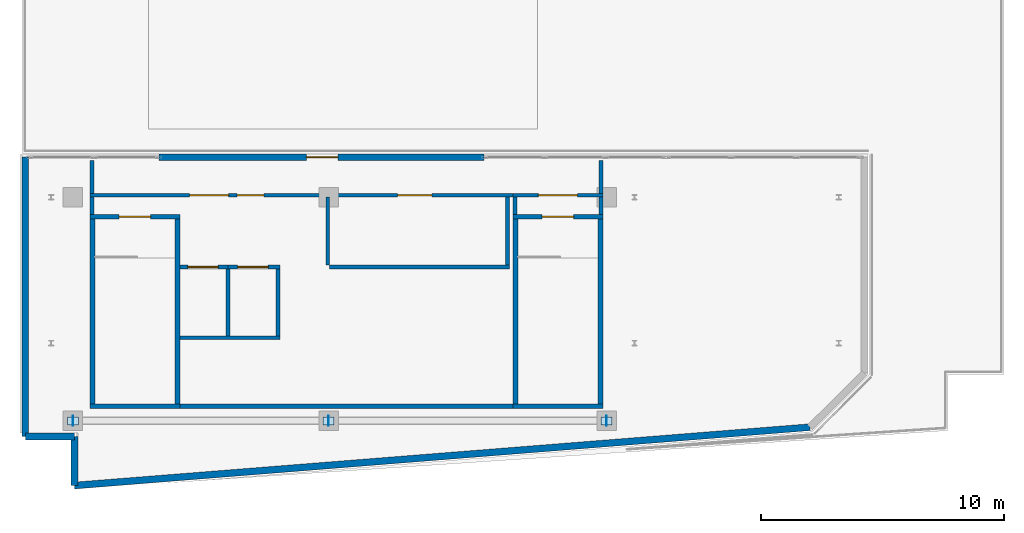
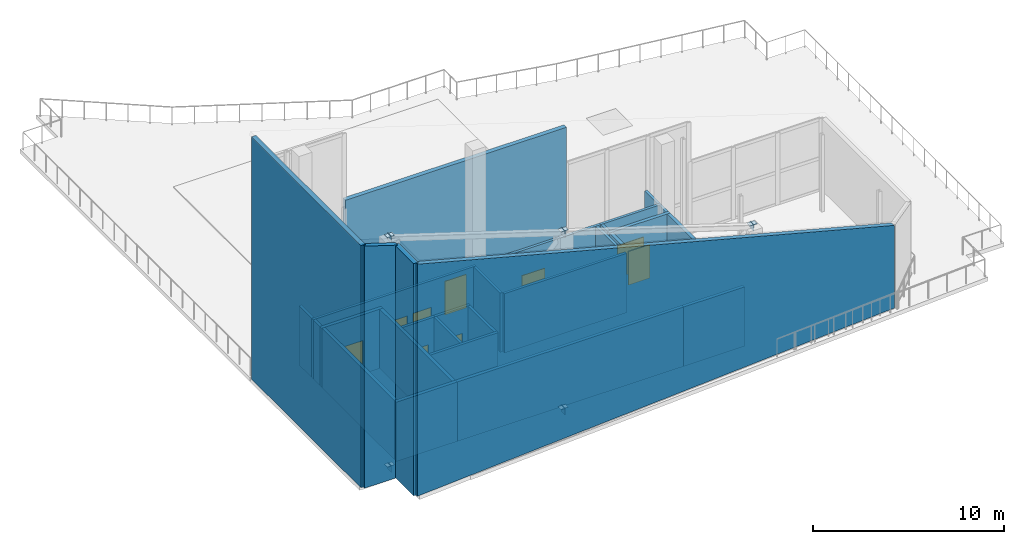
# One storey, part 7 of 9: 30 walls, 10 plates, 9 doors, 9 openings.
"""IFC4 building model written with IfcOpenShell, lengths in metres."""

from ifc_helpers import new_model, si_unit, direction, frame, frame_2d, origin, origin_2d, place, context, subcontext, project, spatial, polyline, rectangle, outline, extrude, material, layer, layer_set, type_object, element, fill, save


model = new_model("IFC4")

# Units and contexts
model_context = context("Model", 3, precision=1e-05, world=origin(), true_north=direction((0.0, 1.0)))
body_context = subcontext(model_context, "Body", "Model", "MODEL_VIEW")
ifc_project = project(units=[si_unit("LENGTHUNIT", "METRE"), si_unit("AREAUNIT", "SQUARE_METRE"), si_unit("VOLUMEUNIT", "CUBIC_METRE"), si_unit("PLANEANGLEUNIT", "RADIAN"), si_unit("MASSUNIT", "GRAM", prefix="KILO")], contexts=[model_context])

# Site, building, storey
site_placement = place(None, origin())
site = spatial("IfcSite", under=ifc_project, at=site_placement, CompositionType="ELEMENT")
building_placement = place(site_placement, origin())
building = spatial("IfcBuilding", under=site, at=building_placement, Name="Varnakote Quay Hospital", CompositionType="ELEMENT")
storey_placement = place(building_placement, frame((0.0, 0.0, 309.199951171875)))
storey = spatial("IfcBuildingStorey", under=building, at=storey_placement, Name="RF", CompositionType="ELEMENT", Elevation=309.199951171875)

# Plates
ifc_material_1 = material(Name="Structural steel AS/NZS 3678 Grade 350 (fy 340 MPa)", Category="steel")
ifc_layer_1 = layer(ifc_material_1, 0.02001953125)
ifc_layer_set_1 = layer_set([ifc_layer_1], Name="Structural steel AS/NZS 3678 Grade 350 (fy 340 MPa)")
plate_type_1 = type_object("IfcPlateType", Name="PLT-ENDCAP-420x420x20", PredefinedType="USERDEFINED", material=ifc_layer_set_1)
for number, where, z_axis, x_axis, name in (
    (1, (2.10009765625, 2.800048828125, 14.65625), (0.0, 0.0, 1.0), (1.0, 0.0, 0.0), "RF Hollow Section Sealed End Cap Plate"),
    (2, (12.6201171875, 2.800048828125, 11.3310546875), (0.0, 0.0, 1.0), (1.0, 0.0, 0.0), "RF Hollow Section Sealed End Cap Plate"),
    (3, (2.10009765625, 2.800048828125, -0.030029296875), (0.0, 0.0, 1.0), (1.0, 0.0, 0.0), "RF Hollow Section Sealed End Cap Plate"),
    (4, (24.050048828125, 2.800048828125, 7.718017578125), (0.0, 0.0, 1.0), (1.0, 0.0, 0.0), "RF Hollow Section Sealed End Cap Plate"),
    (5, (12.6201171875, 2.800048828125, -0.030029296875), (0.0, 0.0, 1.0), (1.0, 0.0, 0.0), "RF Hollow Section Sealed End Cap Plate"),
):
    element("IfcPlate", number, at=place(storey_placement, frame(where, z_axis=z_axis, x_axis=x_axis)), inside=storey, type_object=plate_type_1, Name=name, ObjectType="END_CAP_PLATE", PredefinedType="USERDEFINED", context=body_context, shape_type="SweptSolid", body=[
        extrude(rectangle(XDim=0.02001953125, YDim=0.419921875, at=origin_2d()), origin(), (0.0, 0.0, 1.0), 0.419921875),
    ])
ifc_material_2 = material(Name="Structural steel AS/NZS 3678 Grade 350 (fy 340 MPa)", Category="steel")
ifc_layer_2 = layer(ifc_material_2, 0.02490234375)
ifc_layer_set_2 = layer_set([ifc_layer_2], Name="Structural steel AS/NZS 3678 Grade 350 (fy 340 MPa)")
plate_type_2 = type_object("IfcPlateType", Name="PLT-GUSSET-450x320x25", PredefinedType="USERDEFINED", material=ifc_layer_set_2)
for number, where, z_axis, x_axis, name in (
    (6, (2.10009765625, 2.800048828125, 15.03369140625), (0.0, 0.0, 1.0), (1.0, 0.0, 0.0), "RF Truss Concentric Node Gusset Plate"),
    (7, (12.6201171875, 2.800048828125, 11.70849609375), (0.0, 0.0, 1.0), (1.0, 0.0, 0.0), "RF Truss Concentric Node Gusset Plate"),
    (8, (2.10009765625, 2.800048828125, 0.34765625), (0.0, 0.0, 1.0), (1.0, 0.0, 0.0), "RF Truss Concentric Node Gusset Plate"),
    (9, (24.050048828125, 2.800048828125, 8.095703125), (0.0, 0.0, 1.0), (1.0, 0.0, 0.0), "RF Truss Concentric Node Gusset Plate"),
    (10, (12.6201171875, 2.800048828125, 0.34765625), (0.0, 0.0, 1.0), (1.0, 0.0, 0.0), "RF Truss Concentric Node Gusset Plate"),
):
    element("IfcPlate", number, at=place(storey_placement, frame(where, z_axis=z_axis, x_axis=x_axis)), inside=storey, type_object=plate_type_2, Name=name, ObjectType="GUSSET_PLATE", PredefinedType="USERDEFINED", context=body_context, shape_type="SweptSolid", body=[
        extrude(rectangle(XDim=0.449951171875, YDim=0.320068359375, at=origin_2d()), origin(), (0.0, 0.0, 1.0), 0.02490234375),
    ])

# Wall, openings, doors
ifc_material_3 = material(Name="Fire-rated acoustic gypsum stud wall", Category="gypsum")
ifc_layer_3 = layer(ifc_material_3, 0.159912109375)
ifc_layer_set_3 = layer_set([ifc_layer_3], Name="Fire-rated acoustic gypsum stud wall")
wall_type_1 = type_object("IfcWallType", Name="WL-COMP-160", PredefinedType="PARTITIONING", material=ifc_layer_set_3)
wall_1_placement = place(storey_placement, frame((2.800048828125, 12.080078125, 0.0), z_axis=(0.0, 0.0, 1.0), x_axis=(1.0, 0.0, 0.0)))
wall_1 = element("IfcWall", 11, at=wall_1_placement, inside=storey, type_object=wall_type_1, Name="RF Firefighting Lift & Stair Lobby Wall", PredefinedType="PARTITIONING", context=body_context, shape_type="SweptSolid", body=[
    extrude(rectangle(XDim=9.85986328125, YDim=0.159912109375, at=frame_2d((4.929931640625, 0.0))), origin(), (0.0, 0.0, 1.0), 3.800048828125),
])
opening_1_placement = place(wall_1_placement, frame((4.10009765625, 0.0, 0.0)))
opening_1 = element("IfcOpeningElement", 12, at=opening_1_placement, cuts=wall_1, Name="Opening D-FFL-RF", PredefinedType="OPENING", context=body_context, shape_type="SweptSolid", body=[
    extrude(rectangle(XDim=1.60009765625, YDim=2.050048828125, at=frame_2d((0.800048828125, 1.02490234375))), frame((0.0, 0.08984375, 0.0), z_axis=(0.0, -1.0, 0.0), x_axis=(1.0, 0.0, 0.0)), (0.0, 0.0, 1.0), 0.179931640625),
])
opening_2_placement = place(wall_1_placement, frame((6.052001953125, 0.0, 0.0)))
opening_2 = element("IfcOpeningElement", 13, at=opening_2_placement, cuts=wall_1, Name="Opening D-RF-HHL", PredefinedType="OPENING", context=body_context, shape_type="SweptSolid", body=[
    extrude(rectangle(XDim=1.10009765625, YDim=2.10009765625, at=frame_2d((0.550048828125, 1.050048828125))), frame((0.0, 0.08984375, 0.0), z_axis=(0.0, -1.0, 0.0), x_axis=(1.0, 0.0, 0.0)), (0.0, 0.0, 1.0), 0.179931640625),
])
ifc_material_4 = material(Name="Acoustic timber clinical consult door", Category="wood")
door_type_1 = type_object("IfcDoorType", Name="DR-CLIN-FD30S-1100x2100", OperationType="NOTDEFINED", PredefinedType="DOOR", material=ifc_material_4)
door_1_placement = place(opening_2_placement, origin())
door_1 = element("IfcDoor", 14, at=door_1_placement, inside=storey, type_object=door_type_1, Name="RF Helideck Trauma Transfer Reception Area Door", OperationType="SINGLE_SWING_RIGHT", OverallHeight=2.10009765625, OverallWidth=1.10009765625, PredefinedType="DOOR", context=body_context, shape_type="SweptSolid", body=[
    extrude(rectangle(XDim=1.10009765625, YDim=2.10009765625, at=frame_2d((0.550048828125, 1.050048828125))), frame((0.0, 0.02490234375, 0.0), z_axis=(0.0, -1.0, 0.0), x_axis=(1.0, 0.0, 0.0)), (0.0, 0.0, 1.0), 0.050048828125),
])
fill(opening_2, door_1)
ifc_material_5 = material(Name="Fire-rated double smoke lobby door")
door_type_2 = type_object("IfcDoorType", Name="DR-LOBBY-FD60S-1600x2150", OperationType="NOTDEFINED", PredefinedType="DOOR", material=ifc_material_5)
door_2_placement = place(opening_1_placement, origin())
door_2 = element("IfcDoor", 15, at=door_2_placement, inside=storey, type_object=door_type_2, Name="RF Firefighting Smoke Vestibule Door", OperationType="DOUBLE_DOOR_SINGLE_SWING", OverallHeight=2.050048828125, OverallWidth=1.60009765625, PredefinedType="DOOR", context=body_context, shape_type="SweptSolid", body=[
    extrude(rectangle(XDim=1.60009765625, YDim=2.050048828125, at=frame_2d((0.800048828125, 1.02490234375))), frame((0.0, 0.02490234375, 0.0), z_axis=(0.0, -1.0, 0.0), x_axis=(1.0, 0.0, 0.0)), (0.0, 0.0, 1.0), 0.050048828125),
])
fill(opening_1, door_2)

# Walls
wall_2_placement = place(storey_placement, frame((2.8798828125, 11.300048828125, 0.0), z_axis=(0.0, 0.0, 1.0), x_axis=(0.0, 1.0, 0.0)))
element("IfcWall", 16, at=wall_2_placement, inside=storey, type_object=wall_type_1, Name="RF West Stair Lobby End Wall", PredefinedType="PARTITIONING", context=body_context, shape_type="SweptSolid", body=[
    extrude(rectangle(XDim=0.699951171875, YDim=0.159912109375, at=frame_2d((0.35009765625, 0.0))), origin(), (0.0, 0.0, 1.0), 3.800048828125),
])
wall_3_placement = place(storey_placement, frame((12.580078125, 9.2099609375, 0.0), z_axis=(0.0, 0.0, 1.0), x_axis=(0.0, 1.0, 0.0)))
element("IfcWall", 17, at=wall_3_placement, inside=storey, type_object=wall_type_1, Name="RF Firefighting Lobby East Wall", PredefinedType="PARTITIONING", context=body_context, shape_type="SweptSolid", body=[
    extrude(rectangle(XDim=2.7900390625, YDim=0.159912109375, at=frame_2d((1.39501953125, 0.0))), origin(), (0.0, 0.0, 1.0), 3.800048828125),
])

# Wall, opening, door
wall_4_placement = place(storey_placement, frame((20.199951171875, 12.080078125, 0.0), z_axis=(0.0, 0.0, 1.0), x_axis=(1.0, 0.0, 0.0)))
wall_4 = element("IfcWall", 18, at=wall_4_placement, inside=storey, type_object=wall_type_1, Name="RF East Stair Vestibule Wall", PredefinedType="PARTITIONING", context=body_context, shape_type="SweptSolid", body=[
    extrude(rectangle(XDim=3.699951171875, YDim=0.159912109375, at=frame_2d((1.85009765625, 0.0))), origin(), (0.0, 0.0, 1.0), 3.800048828125),
])
opening_3_placement = place(wall_4_placement, frame((1.050048828125, 0.0, 0.0)))
opening_3 = element("IfcOpeningElement", 19, at=opening_3_placement, cuts=wall_4, Name="Opening D-ST2L-RF", PredefinedType="OPENING", context=body_context, shape_type="SweptSolid", body=[
    extrude(rectangle(XDim=1.60009765625, YDim=2.050048828125, at=frame_2d((0.800048828125, 1.02490234375))), frame((0.0, 0.08984375, 0.0), z_axis=(0.0, -1.0, 0.0), x_axis=(1.0, 0.0, 0.0)), (0.0, 0.0, 1.0), 0.179931640625),
])
door_3_placement = place(opening_3_placement, origin())
door_3 = element("IfcDoor", 20, at=door_3_placement, inside=storey, type_object=door_type_2, Name="RF East Stair Vestibule Smoke Door", OperationType="DOUBLE_DOOR_SINGLE_SWING", OverallHeight=2.050048828125, OverallWidth=1.60009765625, PredefinedType="DOOR", context=body_context, shape_type="SweptSolid", body=[
    extrude(rectangle(XDim=1.60009765625, YDim=2.050048828125, at=frame_2d((0.800048828125, 1.02490234375))), frame((0.0, 0.02490234375, 0.0), z_axis=(0.0, -1.0, 0.0), x_axis=(1.0, 0.0, 0.0)), (0.0, 0.0, 1.0), 0.050048828125),
])
fill(opening_3, door_3)

# Walls
for number, where, z_axis, x_axis, name in (
    (21, (20.280029296875, 11.300048828125, 0.0), (0.0, 0.0, 1.0), (0.0, 1.0, 0.0), "RF East Stair Vestibule West Wall"),
    (22, (23.820068359375, 11.300048828125, 0.0), (0.0, 0.0, 1.0), (0.0, 1.0, 0.0), "RF East Stair Vestibule East Wall"),
):
    element("IfcWall", number, at=place(storey_placement, frame(where, z_axis=z_axis, x_axis=x_axis)), inside=storey, type_object=wall_type_1, Name=name, PredefinedType="PARTITIONING", context=body_context, shape_type="SweptSolid", body=[
        extrude(rectangle(XDim=0.699951171875, YDim=0.159912109375, at=frame_2d((0.35009765625, 0.0))), origin(), (0.0, 0.0, 1.0), 3.800048828125),
    ])
for number, where, z_axis, x_axis, name in (
    (23, (2.8798828125, 12.159912109375, 0.0), (0.0, 0.0, 1.0), (0.0, 1.0, 0.0), "RF Headhouse West Wall"),
    (24, (23.820068359375, 12.159912109375, 0.0), (0.0, 0.0, 1.0), (0.0, 1.0, 0.0), "RF Headhouse East Wall"),
):
    element("IfcWall", number, at=place(storey_placement, frame(where, z_axis=z_axis, x_axis=x_axis)), inside=storey, type_object=wall_type_1, Name=name, PredefinedType="PARTITIONING", context=body_context, shape_type="SweptSolid", body=[
        extrude(rectangle(XDim=1.360107421875, YDim=0.159912109375, at=frame_2d((0.68017578125, 0.0))), origin(), (0.0, 0.0, 1.0), 3.800048828125),
    ])
wall_5_placement = place(storey_placement, frame((12.659912109375, 9.1298828125, 0.0), z_axis=(0.0, 0.0, 1.0), x_axis=(1.0, 0.0, 0.0)))
element("IfcWall", 25, at=wall_5_placement, inside=storey, type_object=wall_type_1, Name="RF Crown Plant South Wall", PredefinedType="PARTITIONING", context=body_context, shape_type="SweptSolid", body=[
    extrude(rectangle(XDim=7.400146484375, YDim=0.159912109375, at=frame_2d((3.7001953125, 0.0))), origin(), (0.0, 0.0, 1.0), 3.800048828125),
])
wall_6_placement = place(storey_placement, frame((19.97998046875, 9.2099609375, 0.0), z_axis=(0.0, 0.0, 1.0), x_axis=(0.0, 1.0, 0.0)))
element("IfcWall", 26, at=wall_6_placement, inside=storey, type_object=wall_type_1, Name="RF Crown Plant East Wall", PredefinedType="PARTITIONING", context=body_context, shape_type="SweptSolid", body=[
    extrude(rectangle(XDim=2.7900390625, YDim=0.159912109375, at=frame_2d((1.39501953125, 0.0))), origin(), (0.0, 0.0, 1.0), 3.800048828125),
])

# Wall, opening, door
wall_7_placement = place(storey_placement, frame((12.659912109375, 12.080078125, 0.0), z_axis=(0.0, 0.0, 1.0), x_axis=(1.0, 0.0, 0.0)))
wall_7 = element("IfcWall", 27, at=wall_7_placement, inside=storey, type_object=wall_type_1, Name="RF Crown Plant North Door Wall", PredefinedType="PARTITIONING", context=body_context, shape_type="SweptSolid", body=[
    extrude(rectangle(XDim=7.5400390625, YDim=0.159912109375, at=frame_2d((3.77001953125, 0.0))), origin(), (0.0, 0.0, 1.0), 3.800048828125),
])
opening_4_placement = place(wall_7_placement, frame((2.800048828125, 0.0, 0.0)))
opening_4 = element("IfcOpeningElement", 28, at=opening_4_placement, cuts=wall_7, Name="Opening D-HPLT-RF", PredefinedType="OPENING", context=body_context, shape_type="SweptSolid", body=[
    extrude(rectangle(XDim=1.39990234375, YDim=2.14990234375, at=frame_2d((0.699951171875, 1.074951171875))), frame((0.0, 0.08984375, 0.0), z_axis=(0.0, -1.0, 0.0), x_axis=(1.0, 0.0, 0.0)), (0.0, 0.0, 1.0), 0.179931640625),
])
ifc_material_6 = material(Name="Fire-rated acoustic plant room door")
door_type_3 = type_object("IfcDoorType", Name="DR-PLANT-FD60-1400x2150", OperationType="NOTDEFINED", PredefinedType="DOOR", material=ifc_material_6)
door_4_placement = place(opening_4_placement, origin())
door_4 = element("IfcDoor", 29, at=door_4_placement, inside=storey, type_object=door_type_3, Name="RF Crown Mechanical Plant Door", OperationType="SINGLE_SWING_LEFT", OverallHeight=2.14990234375, OverallWidth=1.39990234375, PredefinedType="DOOR", context=body_context, shape_type="SweptSolid", body=[
    extrude(rectangle(XDim=1.39990234375, YDim=2.14990234375, at=frame_2d((0.699951171875, 1.074951171875))), frame((0.0, 0.02490234375, 0.0), z_axis=(0.0, -1.0, 0.0), x_axis=(1.0, 0.0, 0.0)), (0.0, 0.0, 1.0), 0.050048828125),
])
fill(opening_4, door_4)

# Wall
ifc_material_7 = material(Name="Concrete N50 (f'c 50 MPa)", Category="concrete")
ifc_layer_4 = layer(ifc_material_7, 0.199951171875)
ifc_layer_set_4 = layer_set([ifc_layer_4], Name="Concrete N50 (f'c 50 MPa)")
wall_type_2 = type_object("IfcWallType", Name="WL-CORE-N50-200", PredefinedType="SHEAR", material=ifc_layer_set_4)
wall_8_placement = place(storey_placement, frame((6.5, 3.39990234375, 0.0), z_axis=(0.0, 0.0, 1.0), x_axis=(1.0, 0.0, 0.0)))
element("IfcWall", 30, at=wall_8_placement, inside=storey, type_object=wall_type_2, Name="RF Rear Core South Shear Wall", PredefinedType="SHEAR", context=body_context, shape_type="SweptSolid", body=[
    extrude(rectangle(XDim=13.699951171875, YDim=0.199951171875, at=frame_2d((6.85009765625, 0.0))), origin(), (0.0, 0.0, 1.0), 3.800048828125),
])

# Wall, opening, door
ifc_material_8 = material(Name="Precast concrete N50 (f'c 50 MPa)", Category="concrete")
ifc_layer_5 = layer(ifc_material_8, 0.260009765625)
ifc_layer_set_5 = layer_set([ifc_layer_5], Name="Precast concrete N50 (f'c 50 MPa)")
wall_type_3 = type_object("IfcWallType", Name="WL-CROWN-HH-260", PredefinedType="STANDARD", material=ifc_layer_set_5)
wall_9_placement = place(storey_placement, frame((5.635009765625, 13.64990234375, 0.0), z_axis=(0.0, 0.0, 1.0), x_axis=(1.0, 0.0, 0.0)))
wall_9 = element("IfcWall", 31, at=wall_9_placement, inside=storey, type_object=wall_type_3, Name="Helideck Trauma Transfer Headhouse Wall", PredefinedType="STANDARD", context=body_context, shape_type="SweptSolid", body=[
    extrude(rectangle(XDim=13.3798828125, YDim=0.260009765625, at=frame_2d((6.68994140625, 0.0))), origin(), (0.0, 0.0, 1.0), 9.529541015625),
])
opening_5_placement = place(wall_9_placement, frame((6.06494140625, 0.0, 0.0)))
opening_5 = element("IfcOpeningElement", 32, at=opening_5_placement, cuts=wall_9, Name="Opening DE-0086", PredefinedType="OPENING", context=body_context, shape_type="SweptSolid", body=[
    extrude(rectangle(XDim=1.300048828125, YDim=2.14990234375, at=frame_2d((0.64990234375, 1.074951171875))), frame((0.0, 0.139892578125, 0.0), z_axis=(0.0, -1.0, 0.0), x_axis=(1.0, 0.0, 0.0)), (0.0, 0.0, 1.0), 0.280029296875),
])
ifc_material_9 = material(Name="Anodised aluminium glazed terrace door", Category="aluminium")
door_type_4 = type_object("IfcDoorType", Name="DR-EXT-TERR-1300x2150", OperationType="NOTDEFINED", PredefinedType="DOOR", material=ifc_material_9)
door_5_placement = place(opening_5_placement, origin())
door_5 = element("IfcDoor", 33, at=door_5_placement, inside=storey, type_object=door_type_4, Name="Helideck Trauma Stretcher Transfer Door", OperationType="SINGLE_SWING_RIGHT", OverallHeight=2.14990234375, OverallWidth=1.300048828125, PredefinedType="DOOR", context=body_context, shape_type="SweptSolid", body=[
    extrude(rectangle(XDim=1.300048828125, YDim=2.14990234375, at=frame_2d((0.64990234375, 1.074951171875))), frame((0.0, 0.02490234375, 0.0), z_axis=(0.0, -1.0, 0.0), x_axis=(1.0, 0.0, 0.0)), (0.0, 0.0, 1.0), 0.050048828125),
])
fill(opening_5, door_5)

# Walls
ifc_material_10 = material(Name="Precast concrete N50 (f'c 50 MPa)", Category="concrete")
ifc_layer_6 = layer(ifc_material_10, 0.280029296875)
ifc_layer_set_6 = layer_set([ifc_layer_6], Name="Precast concrete N50 (f'c 50 MPa)")
wall_type_4 = type_object("IfcWallType", Name="WL-CROWN-RAKED-280", PredefinedType="STANDARD", material=ifc_layer_set_6)
wall_10_placement = place(storey_placement, frame((0.139892578125, 2.159912109375, 0.0), z_axis=(0.0, 0.0, 1.0), x_axis=(1.0, 0.0, 0.0)))
element("IfcWall", 34, at=wall_10_placement, inside=storey, type_object=wall_type_4, Name="Slanted-Cut Crown South-West Notch Wall 1", PredefinedType="STANDARD", context=body_context, shape_type="SweptSolid", body=[
    extrude(outline(polyline([(0.0, 0.0), (2.02001953125, 0.0), (2.02001953125, 14.857177734375), (0.0, 15.495849609375), (0.0, 0.0)])), frame((0.0, 0.14013671875, 0.0), z_axis=(0.0, -1.0, 0.0), x_axis=(1.0, 0.0, 0.0)), (0.0, 0.0, 1.0), 0.280029296875),
])
wall_11_placement = place(storey_placement, frame((2.159912109375, 2.159912109375, 0.0), z_axis=(0.0, 0.0, 1.0), x_axis=(0.0, -1.0, 0.0)))
element("IfcWall", 35, at=wall_11_placement, inside=storey, type_object=wall_type_4, Name="Slanted-Cut Crown South-West Notch Wall 2", PredefinedType="STANDARD", context=body_context, shape_type="SweptSolid", body=[
    extrude(rectangle(XDim=2.02001953125, YDim=0.280029296875, at=frame_2d((1.010009765625, 0.0))), origin(), (0.0, 0.0, 1.0), 14.857177734375),
])
wall_12_placement = place(storey_placement, frame((2.159912109375, 0.139892578125, 0.0), z_axis=(0.0, 0.0, 1.0), x_axis=(0.996869136996, 0.079069107151, 0.0)))
element("IfcWall", 36, at=wall_12_placement, inside=storey, type_object=wall_type_4, Name="Slanted-Cut Crown South Raked Precast Wall", PredefinedType="STANDARD", context=body_context, shape_type="SweptSolid", body=[
    extrude(outline(polyline([(0.0, 0.0), (30.35498046875, 0.0), (30.35498046875, 5.292236328125), (0.0, 14.857177734375), (0.0, 0.0)])), frame((0.0, 0.14013671875, 0.0), z_axis=(0.0, -1.0, 0.0), x_axis=(1.0, 0.0, 0.0)), (0.0, 0.0, 1.0), 0.280029296875),
])
wall_13_placement = place(storey_placement, frame((0.139892578125, 2.159912109375, 0.0), z_axis=(0.0, 0.0, 1.0), x_axis=(0.0, 1.0, 0.0)))
element("IfcWall", 37, at=wall_13_placement, inside=storey, type_object=wall_type_4, Name="Slanted-Cut Crown West Apex Wall", PredefinedType="STANDARD", context=body_context, shape_type="SweptSolid", body=[
    extrude(rectangle(XDim=11.489990234375, YDim=0.280029296875, at=frame_2d((5.7451171875, 0.0))), origin(), (0.0, 0.0, 1.0), 15.495849609375),
])
ifc_material_11 = material(Name="Concrete N50 (f'c 50 MPa)", Category="concrete")
ifc_layer_7 = layer(ifc_material_11, 0.14990234375)
ifc_layer_set_7 = layer_set([ifc_layer_7], Name="Concrete N50 (f'c 50 MPa)")
wall_type_5 = type_object("IfcWallType", Name="WL-SHAFT-N50-150", PredefinedType="SHEAR", material=ifc_layer_set_7)
wall_14_placement = place(storey_placement, frame((8.47509765625, 6.300048828125, 0.0), z_axis=(0.0, 0.0, 1.0), x_axis=(0.0, 1.0, 0.0)))
element("IfcWall", 38, at=wall_14_placement, inside=storey, type_object=wall_type_5, Name="RF LF-FF1 Hoistway Divider Wall", PredefinedType="SHEAR", context=body_context, shape_type="SweptSolid", body=[
    extrude(rectangle(XDim=2.75, YDim=0.14990234375, at=frame_2d((1.375, 0.0))), origin(), (0.0, 0.0, 1.0), 3.800048828125),
])
ifc_material_12 = material(Name="Concrete N50 (f'c 50 MPa)", Category="concrete")
ifc_layer_8 = layer(ifc_material_12, 0.159912109375)
ifc_layer_set_8 = layer_set([ifc_layer_8], Name="Concrete N50 (f'c 50 MPa)")
wall_type_6 = type_object("IfcWallType", Name="WL-SHAFT-N50-160", PredefinedType="SHEAR", material=ifc_layer_set_8)
wall_15_placement = place(storey_placement, frame((6.5, 6.219970703125, 0.0), z_axis=(0.0, 0.0, 1.0), x_axis=(1.0, 0.0, 0.0)))
element("IfcWall", 39, at=wall_15_placement, inside=storey, type_object=wall_type_6, Name="RF REAR Lift Bank Back Shear Wall", PredefinedType="SHEAR", context=body_context, shape_type="SweptSolid", body=[
    extrude(rectangle(XDim=4.110107421875, YDim=0.159912109375, at=frame_2d((2.05517578125, 0.0))), origin(), (0.0, 0.0, 1.0), 3.800048828125),
])
wall_16_placement = place(storey_placement, frame((10.530029296875, 6.300048828125, 0.0), z_axis=(0.0, 0.0, 1.0), x_axis=(0.0, 1.0, 0.0)))
element("IfcWall", 40, at=wall_16_placement, inside=storey, type_object=wall_type_6, Name="RF REAR Lift Bank East Shear Wall", PredefinedType="SHEAR", context=body_context, shape_type="SweptSolid", body=[
    extrude(rectangle(XDim=2.75, YDim=0.159912109375, at=frame_2d((1.375, 0.0))), origin(), (0.0, 0.0, 1.0), 3.800048828125),
])

# Wall, opening, door
wall_17_placement = place(storey_placement, frame((6.5, 9.1298828125, 0.0), z_axis=(0.0, 0.0, 1.0), x_axis=(1.0, 0.0, 0.0)))
wall_17 = element("IfcWall", 41, at=wall_17_placement, inside=storey, type_object=wall_type_6, Name="RF LF-FF1 Hoistway Front Wall", PredefinedType="SHEAR", context=body_context, shape_type="SweptSolid", body=[
    extrude(rectangle(XDim=1.97509765625, YDim=0.159912109375, at=frame_2d((0.987548828125, 0.0))), origin(), (0.0, 0.0, 1.0), 3.800048828125),
])
opening_6_placement = place(wall_17_placement, frame((0.324951171875, 0.0, 0.0)))
opening_6 = element("IfcOpeningElement", 42, at=opening_6_placement, cuts=wall_17, Name="Opening LD-FF1-RF", PredefinedType="OPENING", context=body_context, shape_type="SweptSolid", body=[
    extrude(rectangle(XDim=1.25, YDim=2.14990234375, at=frame_2d((0.625, 1.074951171875))), frame((0.0, 0.08984375, 0.0), z_axis=(0.0, -1.0, 0.0), x_axis=(1.0, 0.0, 0.0)), (0.0, 0.0, 1.0), 0.179931640625),
])
ifc_material_13 = material(Name="Stainless steel lift landing sliding door", Category="steel")
door_type_5 = type_object("IfcDoorType", Name="DR-LIFT-LD-1250x2150", OperationType="NOTDEFINED", PredefinedType="DOOR", material=ifc_material_13)
door_6_placement = place(opening_6_placement, origin())
door_6 = element("IfcDoor", 43, at=door_6_placement, inside=storey, type_object=door_type_5, Name="RF LF-FF1 Lift Landing Sliding Door", OperationType="SLIDING_TO_LEFT", OverallHeight=2.14990234375, OverallWidth=1.25, PredefinedType="DOOR", context=body_context, shape_type="SweptSolid", body=[
    extrude(rectangle(XDim=1.25, YDim=2.14990234375, at=frame_2d((0.625, 1.074951171875))), frame((0.0, 0.02490234375, 0.0), z_axis=(0.0, -1.0, 0.0), x_axis=(1.0, 0.0, 0.0)), (0.0, 0.0, 1.0), 0.050048828125),
])
fill(opening_6, door_6)

wall_18_placement = place(storey_placement, frame((8.47509765625, 9.1298828125, 0.0), z_axis=(0.0, 0.0, 1.0), x_axis=(1.0, 0.0, 0.0)))
wall_18 = element("IfcWall", 44, at=wall_18_placement, inside=storey, type_object=wall_type_6, Name="RF LF-FF2 Hoistway Front Wall", PredefinedType="SHEAR", context=body_context, shape_type="SweptSolid", body=[
    extrude(rectangle(XDim=2.135009765625, YDim=0.159912109375, at=frame_2d((1.0673828125, 0.0))), origin(), (0.0, 0.0, 1.0), 3.800048828125),
])
opening_7_placement = place(wall_18_placement, frame((0.39990234375, 0.0, 0.0)))
opening_7 = element("IfcOpeningElement", 45, at=opening_7_placement, cuts=wall_18, Name="Opening LD-FF2-RF", PredefinedType="OPENING", context=body_context, shape_type="SweptSolid", body=[
    extrude(rectangle(XDim=1.25, YDim=2.14990234375, at=frame_2d((0.625, 1.074951171875))), frame((0.0, 0.08984375, 0.0), z_axis=(0.0, -1.0, 0.0), x_axis=(1.0, 0.0, 0.0)), (0.0, 0.0, 1.0), 0.179931640625),
])
door_7_placement = place(opening_7_placement, origin())
door_7 = element("IfcDoor", 46, at=door_7_placement, inside=storey, type_object=door_type_5, Name="RF LF-FF2 Lift Landing Sliding Door", OperationType="SLIDING_TO_LEFT", OverallHeight=2.14990234375, OverallWidth=1.25, PredefinedType="DOOR", context=body_context, shape_type="SweptSolid", body=[
    extrude(rectangle(XDim=1.25, YDim=2.14990234375, at=frame_2d((0.625, 1.074951171875))), frame((0.0, 0.02490234375, 0.0), z_axis=(0.0, -1.0, 0.0), x_axis=(1.0, 0.0, 0.0)), (0.0, 0.0, 1.0), 0.050048828125),
])
fill(opening_7, door_7)

# Walls
ifc_material_14 = material(Name="Concrete N50 (f'c 50 MPa)", Category="concrete")
ifc_layer_9 = layer(ifc_material_14, 0.199951171875)
ifc_layer_set_9 = layer_set([ifc_layer_9], Name="Concrete N50 (f'c 50 MPa)")
wall_type_7 = type_object("IfcWallType", Name="WL-SHAFT-N50-200", PredefinedType="SHEAR", material=ifc_layer_set_9)
wall_19_placement = place(storey_placement, frame((2.800048828125, 3.39990234375, 0.0), z_axis=(0.0, 0.0, 1.0), x_axis=(1.0, 0.0, 0.0)))
element("IfcWall", 47, at=wall_19_placement, inside=storey, type_object=wall_type_7, Name="RF Stair ST1 South Shaft Wall", PredefinedType="SHEAR", context=body_context, shape_type="SweptSolid", body=[
    extrude(rectangle(XDim=3.699951171875, YDim=0.199951171875, at=frame_2d((1.85009765625, 0.0))), origin(), (0.0, 0.0, 1.0), 3.800048828125),
])
for number, where, z_axis, x_axis, name in (
    (48, (2.89990234375, 3.5, 0.0), (0.0, 0.0, 1.0), (0.0, 1.0, 0.0), "RF Stair ST1 West Shaft Wall"),
    (49, (6.39990234375, 3.5, 0.0), (0.0, 0.0, 1.0), (0.0, 1.0, 0.0), "RF Stair ST1 East Shaft Wall"),
):
    element("IfcWall", number, at=place(storey_placement, frame(where, z_axis=z_axis, x_axis=x_axis)), inside=storey, type_object=wall_type_7, Name=name, PredefinedType="SHEAR", context=body_context, shape_type="SweptSolid", body=[
        extrude(rectangle(XDim=7.60009765625, YDim=0.199951171875, at=frame_2d((3.800048828125, 0.0))), origin(), (0.0, 0.0, 1.0), 3.800048828125),
    ])

# Wall, opening, door
wall_20_placement = place(storey_placement, frame((2.800048828125, 11.199951171875, 0.0), z_axis=(0.0, 0.0, 1.0), x_axis=(1.0, 0.0, 0.0)))
wall_20 = element("IfcWall", 50, at=wall_20_placement, inside=storey, type_object=wall_type_7, Name="RF Stair ST1 Exit Wall", PredefinedType="SHEAR", context=body_context, shape_type="SweptSolid", body=[
    extrude(rectangle(XDim=3.699951171875, YDim=0.199951171875, at=frame_2d((1.85009765625, 0.0))), origin(), (0.0, 0.0, 1.0), 3.800048828125),
])
opening_8_placement = place(wall_20_placement, frame((1.199951171875, 0.0, 0.0)))
opening_8 = element("IfcOpeningElement", 51, at=opening_8_placement, cuts=wall_20, Name="Opening D-ST1-RF", PredefinedType="OPENING", context=body_context, shape_type="SweptSolid", body=[
    extrude(rectangle(XDim=1.300048828125, YDim=2.14990234375, at=frame_2d((0.64990234375, 1.074951171875))), frame((0.0, 0.10986328125, 0.0), z_axis=(0.0, -1.0, 0.0), x_axis=(1.0, 0.0, 0.0)), (0.0, 0.0, 1.0), 0.219970703125),
])
ifc_material_15 = material(Name="Fire-rated ceramic-glazed timber exit door", Category="wood")
door_type_6 = type_object("IfcDoorType", Name="DR-STAIR-FD60S-1300x2150", OperationType="NOTDEFINED", PredefinedType="DOOR", material=ifc_material_15)
door_8_placement = place(opening_8_placement, origin())
door_8 = element("IfcDoor", 52, at=door_8_placement, inside=storey, type_object=door_type_6, Name="RF Stair ST1 Fire Exit Door", OperationType="SINGLE_SWING_LEFT", OverallHeight=2.14990234375, OverallWidth=1.300048828125, PredefinedType="DOOR", context=body_context, shape_type="SweptSolid", body=[
    extrude(rectangle(XDim=1.300048828125, YDim=2.14990234375, at=frame_2d((0.64990234375, 1.074951171875))), frame((0.0, 0.02490234375, 0.0), z_axis=(0.0, -1.0, 0.0), x_axis=(1.0, 0.0, 0.0)), (0.0, 0.0, 1.0), 0.050048828125),
])
fill(opening_8, door_8)

# Walls
wall_21_placement = place(storey_placement, frame((20.199951171875, 3.39990234375, 0.0), z_axis=(0.0, 0.0, 1.0), x_axis=(1.0, 0.0, 0.0)))
element("IfcWall", 53, at=wall_21_placement, inside=storey, type_object=wall_type_7, Name="RF Stair ST2 South Shaft Wall", PredefinedType="SHEAR", context=body_context, shape_type="SweptSolid", body=[
    extrude(rectangle(XDim=3.699951171875, YDim=0.199951171875, at=frame_2d((1.85009765625, 0.0))), origin(), (0.0, 0.0, 1.0), 3.800048828125),
])
for number, where, z_axis, x_axis, name in (
    (54, (20.300048828125, 3.5, 0.0), (0.0, 0.0, 1.0), (0.0, 1.0, 0.0), "RF Stair ST2 West Shaft Wall"),
    (55, (23.800048828125, 3.5, 0.0), (0.0, 0.0, 1.0), (0.0, 1.0, 0.0), "RF Stair ST2 East Shaft Wall"),
):
    element("IfcWall", number, at=place(storey_placement, frame(where, z_axis=z_axis, x_axis=x_axis)), inside=storey, type_object=wall_type_7, Name=name, PredefinedType="SHEAR", context=body_context, shape_type="SweptSolid", body=[
        extrude(rectangle(XDim=7.60009765625, YDim=0.199951171875, at=frame_2d((3.800048828125, 0.0))), origin(), (0.0, 0.0, 1.0), 3.800048828125),
    ])

# Wall, opening, door
wall_22_placement = place(storey_placement, frame((20.199951171875, 11.199951171875, 0.0), z_axis=(0.0, 0.0, 1.0), x_axis=(1.0, 0.0, 0.0)))
wall_22 = element("IfcWall", 56, at=wall_22_placement, inside=storey, type_object=wall_type_7, Name="RF Stair ST2 Exit Wall", PredefinedType="SHEAR", context=body_context, shape_type="SweptSolid", body=[
    extrude(rectangle(XDim=3.699951171875, YDim=0.199951171875, at=frame_2d((1.85009765625, 0.0))), origin(), (0.0, 0.0, 1.0), 3.800048828125),
])
opening_9_placement = place(wall_22_placement, frame((1.199951171875, 0.0, 0.0)))
opening_9 = element("IfcOpeningElement", 57, at=opening_9_placement, cuts=wall_22, Name="Opening D-ST2-RF", PredefinedType="OPENING", context=body_context, shape_type="SweptSolid", body=[
    extrude(rectangle(XDim=1.300048828125, YDim=2.14990234375, at=frame_2d((0.64990234375, 1.074951171875))), frame((0.0, 0.10986328125, 0.0), z_axis=(0.0, -1.0, 0.0), x_axis=(1.0, 0.0, 0.0)), (0.0, 0.0, 1.0), 0.219970703125),
])
door_9_placement = place(opening_9_placement, origin())
door_9 = element("IfcDoor", 58, at=door_9_placement, inside=storey, type_object=door_type_6, Name="RF Stair ST2 Fire Exit Door", OperationType="SINGLE_SWING_RIGHT", OverallHeight=2.14990234375, OverallWidth=1.300048828125, PredefinedType="DOOR", context=body_context, shape_type="SweptSolid", body=[
    extrude(rectangle(XDim=1.300048828125, YDim=2.14990234375, at=frame_2d((0.64990234375, 1.074951171875))), frame((0.0, 0.02490234375, 0.0), z_axis=(0.0, -1.0, 0.0), x_axis=(1.0, 0.0, 0.0)), (0.0, 0.0, 1.0), 0.050048828125),
])
fill(opening_9, door_9)

save(model, "model.ifc")
